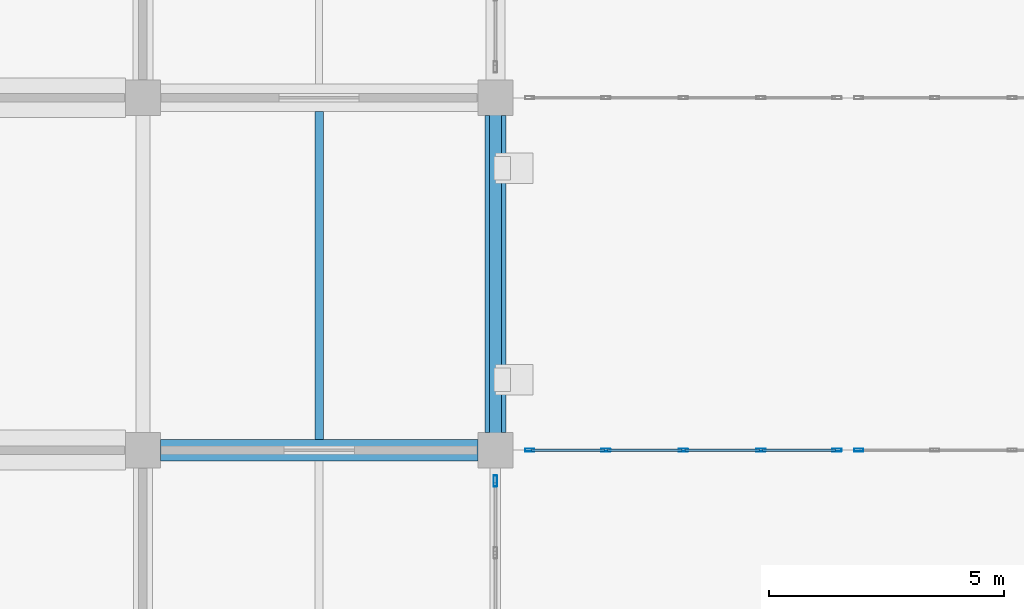
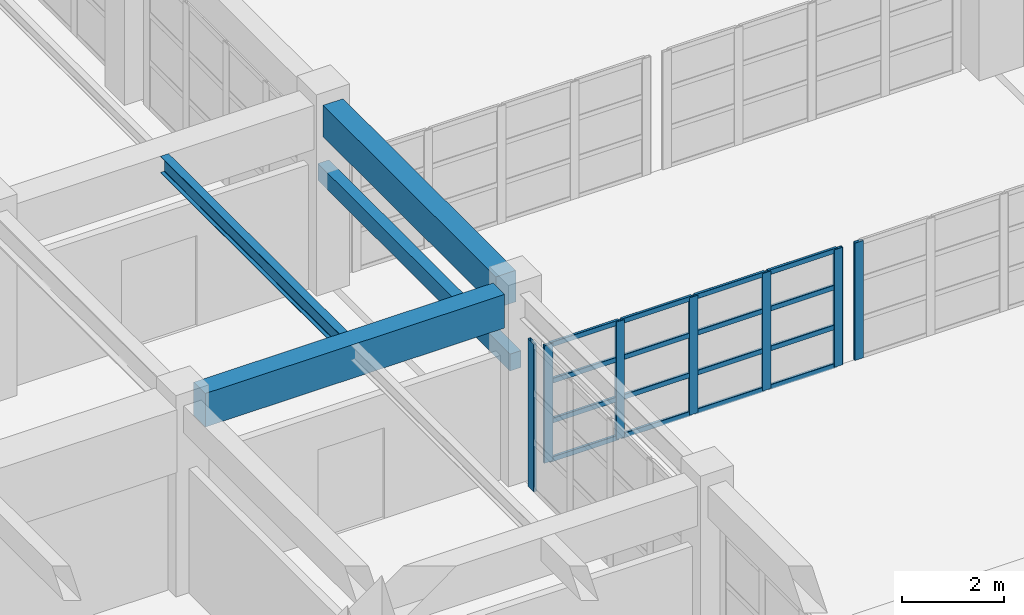
# One storey, part 15 of 122: 23 members, 4 beams, 3 elements without a shape of their own.
"""IFC4 building model written with IfcOpenShell, lengths in metres."""

import ifcopenshell
import ifcopenshell.guid

model = None  # the IFC model being written
_history = None  # IfcOwnerHistory: only IFC2X3 demands one
_inside = {}  # id of a spatial element -> (the spatial element, [elements in it])
_under = {}  # id of a project, library or spatial element -> (it, [spatial elements below it])
_declared = {}  # id of a project -> (the project, [libraries it declares])
_typed = {}  # id of a type object -> (the type object, [elements of that type])
_made_of = {}  # id of a material, layer set ... -> (it, [elements and type objects made of it])


def new_model(schema):
    """Start an empty IFC model of exactly this schema.

    Asked for "IFC4X3", IfcOpenShell would pick the latest addendum, in which some entities
    have other attributes; the version numbers below select the first issue.
    IFC2X3 requires an IfcOwnerHistory on every rooted entity: one is made here for all.
    """
    global model, _history
    if schema == "IFC4X3":
        model = ifcopenshell.file(schema_version=(4, 3, 0, 0))
    else:
        model = ifcopenshell.file(schema=schema)
    _inside.clear()
    _under.clear()
    _declared.clear()
    _typed.clear()
    _made_of.clear()
    _history = None
    if model.schema == "IFC2X3":
        org = make("IfcOrganization", Name="unknown")
        user = make(
            "IfcPersonAndOrganization",
            ThePerson=make("IfcPerson", FamilyName="unknown"),
            TheOrganization=org,
        )
        app = make(
            "IfcApplication",
            ApplicationDeveloper=org,
            Version="unknown",
            ApplicationFullName="unknown",
            ApplicationIdentifier="unknown",
        )
        _history = make(
            "IfcOwnerHistory",
            OwningUser=user,
            OwningApplication=app,
            ChangeAction="ADDED",
            CreationDate=0,
        )
    return model


def make(cls, **values):
    """One entity of the class cls with the attributes given. An attribute that is None is left unset."""
    return model.create_entity(
        cls, **{name: value for name, value in values.items() if value is not None}
    )


def rooted(cls, **values):
    """An entity with a GlobalId (a new one), such as an element, a storey or a relation."""
    return make(cls, GlobalId=ifcopenshell.guid.new(), OwnerHistory=_history, **values)


def si_unit(unit_type, name, prefix=None):
    """IfcSIUnit, for example si_unit("LENGTHUNIT", "METRE", prefix="MILLI")."""
    return make("IfcSIUnit", UnitType=unit_type, Prefix=prefix, Name=name)


def assignment(units):
    """IfcUnitAssignment: the units of a project."""
    return None if units is None else make("IfcUnitAssignment", Units=units)


def point(xyz):
    """IfcCartesianPoint."""
    return None if xyz is None else make("IfcCartesianPoint", Coordinates=xyz)


def direction(xyz):
    """IfcDirection."""
    return None if xyz is None else make("IfcDirection", DirectionRatios=xyz)


def frame(location, z_axis=None, x_axis=None):
    """IfcAxis2Placement3D, a coordinate frame: its origin and axes. An axis left out is left unset."""
    return make(
        "IfcAxis2Placement3D",
        Location=point(location),
        Axis=direction(z_axis),
        RefDirection=direction(x_axis),
    )


def frame_2d(location, x_axis=None):
    """IfcAxis2Placement2D, a coordinate frame in the plane: its origin and x axis."""
    return make(
        "IfcAxis2Placement2D", Location=point(location), RefDirection=direction(x_axis)
    )


def origin():
    """The frame at (0, 0, 0) with its axes left unset."""
    return frame((0.0, 0.0, 0.0))


def origin_2d():
    """The frame at (0, 0) in the plane with its x axis left unset."""
    return frame_2d((0.0, 0.0))


def place(relative_to, where):
    """IfcLocalPlacement: puts the frame where relative to a parent placement (None: the world)."""
    return make(
        "IfcLocalPlacement", PlacementRelTo=relative_to, RelativePlacement=where
    )


def context(
    kind, dimensions, precision=None, world=None, true_north=None, identifier=None
):
    """IfcGeometricRepresentationContext, for example the 3D "Model" context."""
    return make(
        "IfcGeometricRepresentationContext",
        ContextIdentifier=identifier,
        ContextType=kind,
        CoordinateSpaceDimension=dimensions,
        Precision=precision,
        WorldCoordinateSystem=world,
        TrueNorth=true_north,
    )


def subcontext(parent, identifier, kind, view, scale=None):
    """IfcGeometricRepresentationSubContext, for example "Body" below "Model"."""
    return make(
        "IfcGeometricRepresentationSubContext",
        ContextIdentifier=identifier,
        ContextType=kind,
        ParentContext=parent,
        TargetScale=scale,
        TargetView=view,
    )


def project(units=None, contexts=None):
    """IfcProject with its units and contexts."""
    return rooted(
        "IfcProject",
        Name="project",
        RepresentationContexts=contexts,
        UnitsInContext=assignment(units),
    )


def spatial(cls, under=None, at=None, **own):
    """A site, building, storey or space (cls), placed at a placement, below another one or the project."""
    s = rooted(cls, ObjectPlacement=at, **own)
    if under is not None:
        _under.setdefault(under.id(), (under, []))[1].append(s)
    return s


def profile(cls, at=None, kind="AREA", **sizes):
    """A parametric profile (cls). Its sizes go by their IFC names, for example OverallWidth=200.0."""
    return make(cls, ProfileType=kind, Position=at, **sizes)


def rectangle(**sizes):
    """IfcRectangleProfileDef."""
    return profile("IfcRectangleProfileDef", **sizes)


def hollow_rectangle(**sizes):
    """IfcRectangleHollowProfileDef."""
    return profile("IfcRectangleHollowProfileDef", **sizes)


def i_section(**sizes):
    """IfcIShapeProfileDef."""
    return profile("IfcIShapeProfileDef", **sizes)


def extrude(swept, where, along, depth):
    """IfcExtrudedAreaSolid: the profile swept, set in the frame where, extruded along a direction by depth."""
    return make(
        "IfcExtrudedAreaSolid",
        SweptArea=swept,
        Position=where,
        ExtrudedDirection=direction(along),
        Depth=depth,
    )


def shape(context_of_items, identifier, shape_type, items):
    """IfcShapeRepresentation: the items that make up one representation, for example the "Body"."""
    return make(
        "IfcShapeRepresentation",
        ContextOfItems=context_of_items,
        RepresentationIdentifier=identifier,
        RepresentationType=shape_type,
        Items=items,
    )


def material(Name=None, Category=None):
    """IfcMaterial."""
    return make("IfcMaterial", Name=Name, Category=Category)


def material_profile(
    of_material, cross_section, Name=None, Category=None, Priority=None
):
    """IfcMaterialProfile: a cross section and its material."""
    return make(
        "IfcMaterialProfile",
        Name=Name,
        Material=of_material,
        Profile=cross_section,
        Priority=Priority,
        Category=Category,
    )


def profile_set(profiles, Name=None, composite=None):
    """IfcMaterialProfileSet."""
    return make(
        "IfcMaterialProfileSet",
        Name=Name,
        MaterialProfiles=profiles,
        CompositeProfile=composite,
    )


def made_of(thing, what):
    """Note that an element or type object is made of a material, layer set ...; save() writes the relation."""
    if what is not None:
        _made_of.setdefault(what.id(), (what, []))[1].append(thing)
    return thing


def type_object(cls, material=None, **own):
    """A type object (cls), such as IfcWallType, which elements share."""
    return made_of(rooted(cls, **own), material)


def element(
    cls,
    number,
    at=None,
    inside=None,
    cuts=None,
    type_object=None,
    material=None,
    context=None,
    identifier="Body",
    shape_type=None,
    held_by="IfcProductDefinitionShape",
    body=None,
    shapes=None,
    **own,
):
    """One element of the class cls, such as IfcWall. Its Tag is "e" and its number.

    at: its placement. inside: the storey or other place that contains it. cuts: it is an
    opening in that element (IfcRelVoidsElement). A single representation is given by context,
    identifier, shape_type and body (its items); several are given by shapes. held_by: the class
    of the entity that holds the representations. save() writes the other relations.
    """
    e = rooted(cls, Tag="e%d" % number, ObjectPlacement=at, **own)
    if body is not None:
        shapes = [shape(context, identifier, shape_type, body)]
    if shapes is not None:
        e.Representation = make(held_by, Representations=shapes)
    if inside is not None:
        _inside.setdefault(inside.id(), (inside, []))[1].append(e)
    if cuts is not None:
        rooted(
            "IfcRelVoidsElement", RelatingBuildingElement=cuts, RelatedOpeningElement=e
        )
    if type_object is not None:
        _typed.setdefault(type_object.id(), (type_object, []))[1].append(e)
    return made_of(e, material)


def aggregate(whole, parts):
    """IfcRelAggregates: a whole, such as a stair, and the parts it consists of."""
    return rooted("IfcRelAggregates", RelatingObject=whole, RelatedObjects=parts)


def save(model, path):
    """Write the relations noted so far, then the file.

    IfcRelAggregates (storeys below a building ...), IfcRelContainedInSpatialStructure (elements
    in a storey), IfcRelDefinesByType, IfcRelAssociatesMaterial and IfcRelDeclares: one each for
    every whole, place, type object, material and project.
    """
    for whole, parts in _under.values():
        aggregate(whole, parts)
    for where, things in _inside.values():
        rooted(
            "IfcRelContainedInSpatialStructure",
            RelatedElements=things,
            RelatingStructure=where,
        )
    for kind, things in _typed.values():
        rooted("IfcRelDefinesByType", RelatedObjects=things, RelatingType=kind)
    for what, things in _made_of.values():
        rooted("IfcRelAssociatesMaterial", RelatedObjects=things, RelatingMaterial=what)
    for by, libraries in _declared.values():
        rooted("IfcRelDeclares", RelatingContext=by, RelatedDefinitions=libraries)
    model.write(path)


model = new_model("IFC4")

# Units and contexts
model_context = context("Model", 3, precision=1e-05, world=origin(), true_north=direction((0.0, 1.0)))
body_context = subcontext(model_context, "Body", "Model", "MODEL_VIEW")
ifc_project = project(units=[si_unit("LENGTHUNIT", "METRE"), si_unit("AREAUNIT", "SQUARE_METRE"), si_unit("VOLUMEUNIT", "CUBIC_METRE"), si_unit("PLANEANGLEUNIT", "RADIAN"), si_unit("MASSUNIT", "GRAM", prefix="KILO")], contexts=[model_context])

# Site, building, storey
site_placement = place(None, origin())
site = spatial("IfcSite", under=ifc_project, at=site_placement, CompositionType="ELEMENT")
building_placement = place(site_placement, origin())
building = spatial("IfcBuilding", under=site, at=building_placement, Name="Qasida Concert Hall", CompositionType="ELEMENT")
storey_placement = place(building_placement, origin())
storey = spatial("IfcBuildingStorey", under=building, at=storey_placement, Name="L00", CompositionType="ELEMENT", Elevation=0.0)

# Beams
ifc_material_1 = material(Name="Concrete C40/50", Category="concrete")
ifc_material_profile_1 = material_profile(ifc_material_1, rectangle(XDim=0.449951171875, YDim=0.800048828125, at=origin_2d()), Name="RC 450x800")
ifc_profile_set_1 = profile_set([ifc_material_profile_1], Name="Concrete C40/50")
beam_type_1 = type_object("IfcBeamType", Name="BM-G2", PredefinedType="USERDEFINED", material=ifc_profile_set_1)
beam_1_placement = place(storey_placement, frame((30.375, 30.0, 4.10009765625), z_axis=(1.0, 0.0, 0.0), x_axis=(0.0, 1.0, 0.0)))
element("IfcBeam", 1, at=beam_1_placement, inside=storey, type_object=beam_type_1, Name="Primary girder 0522", ObjectType="GIRDER", PredefinedType="USERDEFINED", context=body_context, shape_type="SweptSolid", body=[
    extrude(rectangle(XDim=0.449951171875, YDim=0.800048828125, at=origin_2d()), origin(), (0.0, 0.0, 1.0), 6.75),
])
ifc_material_2 = material(Name="Steel S355J2", Category="steel")
ifc_material_profile_2 = material_profile(ifc_material_2, i_section(OverallWidth=0.179931640625, OverallDepth=0.39990234375, WebThickness=0.008544921875, FlangeThickness=0.013427734375, FilletRadius=0.02099609375, at=origin_2d()), Name="IPE 400")
ifc_profile_set_2 = profile_set([ifc_material_profile_2], Name="Steel S355J2")
beam_type_2 = type_object("IfcBeamType", Name="BM-J3", PredefinedType="JOIST", material=ifc_profile_set_2)
beam_2_placement = place(storey_placement, frame((33.75, 30.22509765625, 4.300048828125), z_axis=(0.0, 1.0, 0.0), x_axis=(-1.0, 0.0, 0.0)))
element("IfcBeam", 2, at=beam_2_placement, inside=storey, type_object=beam_type_2, Name="L00 secondary joist 0586", PredefinedType="JOIST", context=body_context, shape_type="SweptSolid", body=[
    extrude(i_section(OverallWidth=0.179931640625, OverallDepth=0.39990234375, WebThickness=0.008544921875, FlangeThickness=0.013427734375, FilletRadius=0.02099609375, at=origin_2d()), origin(), (0.0, 0.0, 1.0), 6.98486328125),
])
ifc_material_profile_3 = material_profile(ifc_material_1, rectangle(XDim=0.25, YDim=0.39990234375, at=origin_2d()), Name="RC 250x400")
ifc_profile_set_3 = profile_set([ifc_material_profile_3], Name="Concrete C40/50")
beam_type_3 = type_object("IfcBeamType", Name="BM-LN1", PredefinedType="LINTEL", material=ifc_profile_set_3)
beam_3_placement = place(storey_placement, frame((37.5, 30.0, 2.64990234375), z_axis=(0.0, 1.0, 0.0), x_axis=(-1.0, 0.0, 0.0)))
element("IfcBeam", 3, at=beam_3_placement, inside=storey, type_object=beam_type_3, Name="L00 portal lintel beam 004", PredefinedType="LINTEL", context=body_context, shape_type="SweptSolid", body=[
    extrude(rectangle(XDim=0.25, YDim=0.39990234375, at=origin_2d()), origin(), (0.0, 0.0, 1.0), 7.5),
])
ifc_material_profile_4 = material_profile(ifc_material_1, rectangle(XDim=0.449951171875, YDim=0.75, at=origin_2d()), Name="RC 450x750")
ifc_profile_set_4 = profile_set([ifc_material_profile_4], Name="Concrete C40/50")
beam_type_4 = type_object("IfcBeamType", Name="BM-SP4", PredefinedType="SPANDREL", material=ifc_profile_set_4)
beam_4_placement = place(storey_placement, frame((37.5, 30.375, 4.125), z_axis=(0.0, 1.0, 0.0), x_axis=(-1.0, 0.0, 0.0)))
element("IfcBeam", 4, at=beam_4_placement, inside=storey, type_object=beam_type_4, Name="L00 girder 0557", PredefinedType="SPANDREL", context=body_context, shape_type="SweptSolid", body=[
    extrude(rectangle(XDim=0.449951171875, YDim=0.75, at=origin_2d()), origin(), (0.0, 0.0, 1.0), 6.75),
])

# Curtain wall, member
ifc_material_3 = material(Name="Architectural bronze-anodized aluminium and low-E glass", Category="aluminium")
curtain_wall_type_1 = type_object("IfcCurtainWallType", Name="CW-06", PredefinedType="NOTDEFINED", material=ifc_material_3)
curtain_wall_1_placement = place(storey_placement, origin())
curtain_wall_1 = element("IfcCurtainWall", 5, at=curtain_wall_1_placement, inside=storey, type_object=curtain_wall_type_1, Name="L00 curtain wall CW-06 0077", PredefinedType="NOTDEFINED")
ifc_material_4 = material(Name="Architectural bronze-anodized aluminium EN AW-6063", Category="aluminium")
ifc_material_profile_5 = material_profile(ifc_material_4, hollow_rectangle(XDim=0.070068359375, YDim=0.239990234375, WallThickness=0.0048828125, InnerFilletRadius=0.0048828125, OuterFilletRadius=0.010009765625, at=origin_2d()), Name="CWM 240x70x5")
ifc_profile_set_5 = profile_set([ifc_material_profile_5], Name="Architectural bronze-anodized aluminium EN AW-6063")
member_type_1 = type_object("IfcMemberType", Name="MB-CWM-1", PredefinedType="MULLION", material=ifc_profile_set_5)
member_1_placement = place(storey_placement, frame((37.5, 29.344970703125, 0.0), z_axis=(0.0, 0.0, 1.0), x_axis=(-1.0, 0.0, 0.0)))
member_1 = element("IfcMember", 6, at=member_1_placement, type_object=member_type_1, Name="CW-06 mullion 5", PredefinedType="MULLION", context=body_context, shape_type="SweptSolid", body=[
    extrude(hollow_rectangle(XDim=0.070068359375, YDim=0.239990234375, WallThickness=0.0048828125, InnerFilletRadius=0.0048828125, OuterFilletRadius=0.010009765625, at=origin_2d()), origin(), (0.0, 0.0, 1.0), 3.52001953125),
])
aggregate(curtain_wall_1, [member_1])

# Curtain wall, members
curtain_wall_type_2 = type_object("IfcCurtainWallType", Name="CW-08", PredefinedType="NOTDEFINED", material=ifc_material_3)
curtain_wall_2_placement = place(storey_placement, origin())
curtain_wall_2 = element("IfcCurtainWall", 7, at=curtain_wall_2_placement, inside=storey, type_object=curtain_wall_type_2, Name="L00 link bridge glazing 0194", PredefinedType="NOTDEFINED")
ifc_material_profile_6 = material_profile(ifc_material_4, hollow_rectangle(XDim=0.06494140625, YDim=0.199951171875, WallThickness=0.0048828125, InnerFilletRadius=0.0048828125, OuterFilletRadius=0.010009765625, at=origin_2d()), Name="CWM 200x65x5")
ifc_profile_set_6 = profile_set([ifc_material_profile_6], Name="Architectural bronze-anodized aluminium EN AW-6063")
member_type_2 = type_object("IfcMemberType", Name="MB-CWM-2", PredefinedType="MULLION", material=ifc_profile_set_6)
member_2_placement = place(storey_placement, frame((38.232421875, 30.0, 0.0), z_axis=(0.0, 0.0, 1.0), x_axis=(0.0, 1.0, 0.0)))
member_2 = element("IfcMember", 8, at=member_2_placement, type_object=member_type_2, Name="CW-08 mullion 1", PredefinedType="MULLION", context=body_context, shape_type="SweptSolid", body=[
    extrude(hollow_rectangle(XDim=0.06494140625, YDim=0.199951171875, WallThickness=0.0048828125, InnerFilletRadius=0.0048828125, OuterFilletRadius=0.010009765625, at=origin_2d()), origin(), (0.0, 0.0, 1.0), 2.800048828125),
])
member_3_placement = place(storey_placement, frame((39.85009765625, 30.0, 0.0), z_axis=(0.0, 0.0, 1.0), x_axis=(0.0, 1.0, 0.0)))
member_3 = element("IfcMember", 9, at=member_3_placement, type_object=member_type_2, Name="CW-08 mullion 2", PredefinedType="MULLION", context=body_context, shape_type="SweptSolid", body=[
    extrude(hollow_rectangle(XDim=0.06494140625, YDim=0.199951171875, WallThickness=0.0048828125, InnerFilletRadius=0.0048828125, OuterFilletRadius=0.010009765625, at=origin_2d()), origin(), (0.0, 0.0, 1.0), 2.800048828125),
])
member_4_placement = place(storey_placement, frame((41.5, 30.0, 0.0), z_axis=(0.0, 0.0, 1.0), x_axis=(0.0, 1.0, 0.0)))
member_4 = element("IfcMember", 10, at=member_4_placement, type_object=member_type_2, Name="CW-08 mullion 3", PredefinedType="MULLION", context=body_context, shape_type="SweptSolid", body=[
    extrude(hollow_rectangle(XDim=0.06494140625, YDim=0.199951171875, WallThickness=0.0048828125, InnerFilletRadius=0.0048828125, OuterFilletRadius=0.010009765625, at=origin_2d()), origin(), (0.0, 0.0, 1.0), 2.800048828125),
])
member_5_placement = place(storey_placement, frame((43.14990234375, 30.0, 0.0), z_axis=(0.0, 0.0, 1.0), x_axis=(0.0, 1.0, 0.0)))
member_5 = element("IfcMember", 11, at=member_5_placement, type_object=member_type_2, Name="CW-08 mullion 4", PredefinedType="MULLION", context=body_context, shape_type="SweptSolid", body=[
    extrude(hollow_rectangle(XDim=0.06494140625, YDim=0.199951171875, WallThickness=0.0048828125, InnerFilletRadius=0.0048828125, OuterFilletRadius=0.010009765625, at=origin_2d()), origin(), (0.0, 0.0, 1.0), 2.800048828125),
])
member_6_placement = place(storey_placement, frame((44.767578125, 30.0, 0.0), z_axis=(0.0, 0.0, 1.0), x_axis=(0.0, 1.0, 0.0)))
member_6 = element("IfcMember", 12, at=member_6_placement, type_object=member_type_2, Name="CW-08 mullion 5", PredefinedType="MULLION", context=body_context, shape_type="SweptSolid", body=[
    extrude(hollow_rectangle(XDim=0.06494140625, YDim=0.199951171875, WallThickness=0.0048828125, InnerFilletRadius=0.0048828125, OuterFilletRadius=0.010009765625, at=origin_2d()), origin(), (0.0, 0.0, 1.0), 2.800048828125),
])

# Curtain wall, member
curtain_wall_3_placement = place(storey_placement, origin())
curtain_wall_3 = element("IfcCurtainWall", 13, at=curtain_wall_3_placement, inside=storey, type_object=curtain_wall_type_2, Name="L00 link bridge glazing 0196", PredefinedType="NOTDEFINED")
member_7_placement = place(storey_placement, frame((45.232421875, 30.0, 0.0), z_axis=(0.0, 0.0, 1.0), x_axis=(0.0, 1.0, 0.0)))
member_7 = element("IfcMember", 14, at=member_7_placement, type_object=member_type_2, Name="CW-08 mullion 1", PredefinedType="MULLION", context=body_context, shape_type="SweptSolid", body=[
    extrude(hollow_rectangle(XDim=0.06494140625, YDim=0.199951171875, WallThickness=0.0048828125, InnerFilletRadius=0.0048828125, OuterFilletRadius=0.010009765625, at=origin_2d()), origin(), (0.0, 0.0, 1.0), 2.800048828125),
])
aggregate(curtain_wall_3, [member_7])

# Member
ifc_material_profile_7 = material_profile(ifc_material_4, hollow_rectangle(XDim=0.06005859375, YDim=0.1201171875, WallThickness=0.00390625, InnerFilletRadius=0.00390625, OuterFilletRadius=0.008056640625, at=origin_2d()), Name="CWT 120x60x4")
ifc_profile_set_7 = profile_set([ifc_material_profile_7], Name="Architectural bronze-anodized aluminium EN AW-6063")
member_type_3 = type_object("IfcMemberType", Name="MB-CWT-2", PredefinedType="USERDEFINED", material=ifc_profile_set_7)
member_8_placement = place(storey_placement, frame((38.264892578125, 30.0, 0.030029296875), z_axis=(1.0, 0.0, 0.0), x_axis=(0.0, 1.0, 0.0)))
member_8 = element("IfcMember", 15, at=member_8_placement, type_object=member_type_3, Name="CW-08 transom 1.1", ObjectType="TRANSOM", PredefinedType="USERDEFINED", context=body_context, shape_type="SweptSolid", body=[
    extrude(hollow_rectangle(XDim=0.06005859375, YDim=0.1201171875, WallThickness=0.00390625, InnerFilletRadius=0.00390625, OuterFilletRadius=0.008056640625, at=origin_2d()), origin(), (0.0, 0.0, 1.0), 1.552490234375),
])

member_9_placement = place(storey_placement, frame((38.264892578125, 30.0, 0.949951171875), z_axis=(1.0, 0.0, 0.0), x_axis=(0.0, 1.0, 0.0)))
member_9 = element("IfcMember", 16, at=member_9_placement, type_object=member_type_3, Name="CW-08 transom 1.2", ObjectType="TRANSOM", PredefinedType="USERDEFINED", context=body_context, shape_type="SweptSolid", body=[
    extrude(hollow_rectangle(XDim=0.06005859375, YDim=0.1201171875, WallThickness=0.00390625, InnerFilletRadius=0.00390625, OuterFilletRadius=0.008056640625, at=origin_2d()), origin(), (0.0, 0.0, 1.0), 1.552490234375),
])

member_10_placement = place(storey_placement, frame((38.264892578125, 30.0, 1.89990234375), z_axis=(1.0, 0.0, 0.0), x_axis=(0.0, 1.0, 0.0)))
member_10 = element("IfcMember", 17, at=member_10_placement, type_object=member_type_3, Name="CW-08 transom 1.3", ObjectType="TRANSOM", PredefinedType="USERDEFINED", context=body_context, shape_type="SweptSolid", body=[
    extrude(hollow_rectangle(XDim=0.06005859375, YDim=0.1201171875, WallThickness=0.00390625, InnerFilletRadius=0.00390625, OuterFilletRadius=0.008056640625, at=origin_2d()), origin(), (0.0, 0.0, 1.0), 1.552490234375),
])

member_11_placement = place(storey_placement, frame((38.264892578125, 30.0, 2.77001953125), z_axis=(1.0, 0.0, 0.0), x_axis=(0.0, 1.0, 0.0)))
member_11 = element("IfcMember", 18, at=member_11_placement, type_object=member_type_3, Name="CW-08 transom 1.4", ObjectType="TRANSOM", PredefinedType="USERDEFINED", context=body_context, shape_type="SweptSolid", body=[
    extrude(hollow_rectangle(XDim=0.06005859375, YDim=0.1201171875, WallThickness=0.00390625, InnerFilletRadius=0.00390625, OuterFilletRadius=0.008056640625, at=origin_2d()), origin(), (0.0, 0.0, 1.0), 1.552490234375),
])

member_12_placement = place(storey_placement, frame((39.882568359375, 30.0, 0.030029296875), z_axis=(1.0, 0.0, 0.0), x_axis=(0.0, 1.0, 0.0)))
member_12 = element("IfcMember", 19, at=member_12_placement, type_object=member_type_3, Name="CW-08 transom 2.1", ObjectType="TRANSOM", PredefinedType="USERDEFINED", context=body_context, shape_type="SweptSolid", body=[
    extrude(hollow_rectangle(XDim=0.06005859375, YDim=0.1201171875, WallThickness=0.00390625, InnerFilletRadius=0.00390625, OuterFilletRadius=0.008056640625, at=origin_2d()), origin(), (0.0, 0.0, 1.0), 1.5849609375),
])

member_13_placement = place(storey_placement, frame((39.882568359375, 30.0, 0.949951171875), z_axis=(1.0, 0.0, 0.0), x_axis=(0.0, 1.0, 0.0)))
member_13 = element("IfcMember", 20, at=member_13_placement, type_object=member_type_3, Name="CW-08 transom 2.2", ObjectType="TRANSOM", PredefinedType="USERDEFINED", context=body_context, shape_type="SweptSolid", body=[
    extrude(hollow_rectangle(XDim=0.06005859375, YDim=0.1201171875, WallThickness=0.00390625, InnerFilletRadius=0.00390625, OuterFilletRadius=0.008056640625, at=origin_2d()), origin(), (0.0, 0.0, 1.0), 1.5849609375),
])

member_14_placement = place(storey_placement, frame((39.882568359375, 30.0, 1.89990234375), z_axis=(1.0, 0.0, 0.0), x_axis=(0.0, 1.0, 0.0)))
member_14 = element("IfcMember", 21, at=member_14_placement, type_object=member_type_3, Name="CW-08 transom 2.3", ObjectType="TRANSOM", PredefinedType="USERDEFINED", context=body_context, shape_type="SweptSolid", body=[
    extrude(hollow_rectangle(XDim=0.06005859375, YDim=0.1201171875, WallThickness=0.00390625, InnerFilletRadius=0.00390625, OuterFilletRadius=0.008056640625, at=origin_2d()), origin(), (0.0, 0.0, 1.0), 1.5849609375),
])

member_15_placement = place(storey_placement, frame((39.882568359375, 30.0, 2.77001953125), z_axis=(1.0, 0.0, 0.0), x_axis=(0.0, 1.0, 0.0)))
member_15 = element("IfcMember", 22, at=member_15_placement, type_object=member_type_3, Name="CW-08 transom 2.4", ObjectType="TRANSOM", PredefinedType="USERDEFINED", context=body_context, shape_type="SweptSolid", body=[
    extrude(hollow_rectangle(XDim=0.06005859375, YDim=0.1201171875, WallThickness=0.00390625, InnerFilletRadius=0.00390625, OuterFilletRadius=0.008056640625, at=origin_2d()), origin(), (0.0, 0.0, 1.0), 1.5849609375),
])

member_16_placement = place(storey_placement, frame((41.532470703125, 30.0, 0.030029296875), z_axis=(1.0, 0.0, 0.0), x_axis=(0.0, 1.0, 0.0)))
member_16 = element("IfcMember", 23, at=member_16_placement, type_object=member_type_3, Name="CW-08 transom 3.1", ObjectType="TRANSOM", PredefinedType="USERDEFINED", context=body_context, shape_type="SweptSolid", body=[
    extrude(hollow_rectangle(XDim=0.06005859375, YDim=0.1201171875, WallThickness=0.00390625, InnerFilletRadius=0.00390625, OuterFilletRadius=0.008056640625, at=origin_2d()), origin(), (0.0, 0.0, 1.0), 1.5849609375),
])

member_17_placement = place(storey_placement, frame((41.532470703125, 30.0, 0.949951171875), z_axis=(1.0, 0.0, 0.0), x_axis=(0.0, 1.0, 0.0)))
member_17 = element("IfcMember", 24, at=member_17_placement, type_object=member_type_3, Name="CW-08 transom 3.2", ObjectType="TRANSOM", PredefinedType="USERDEFINED", context=body_context, shape_type="SweptSolid", body=[
    extrude(hollow_rectangle(XDim=0.06005859375, YDim=0.1201171875, WallThickness=0.00390625, InnerFilletRadius=0.00390625, OuterFilletRadius=0.008056640625, at=origin_2d()), origin(), (0.0, 0.0, 1.0), 1.5849609375),
])

member_18_placement = place(storey_placement, frame((41.532470703125, 30.0, 1.89990234375), z_axis=(1.0, 0.0, 0.0), x_axis=(0.0, 1.0, 0.0)))
member_18 = element("IfcMember", 25, at=member_18_placement, type_object=member_type_3, Name="CW-08 transom 3.3", ObjectType="TRANSOM", PredefinedType="USERDEFINED", context=body_context, shape_type="SweptSolid", body=[
    extrude(hollow_rectangle(XDim=0.06005859375, YDim=0.1201171875, WallThickness=0.00390625, InnerFilletRadius=0.00390625, OuterFilletRadius=0.008056640625, at=origin_2d()), origin(), (0.0, 0.0, 1.0), 1.5849609375),
])

member_19_placement = place(storey_placement, frame((41.532470703125, 30.0, 2.77001953125), z_axis=(1.0, 0.0, 0.0), x_axis=(0.0, 1.0, 0.0)))
member_19 = element("IfcMember", 26, at=member_19_placement, type_object=member_type_3, Name="CW-08 transom 3.4", ObjectType="TRANSOM", PredefinedType="USERDEFINED", context=body_context, shape_type="SweptSolid", body=[
    extrude(hollow_rectangle(XDim=0.06005859375, YDim=0.1201171875, WallThickness=0.00390625, InnerFilletRadius=0.00390625, OuterFilletRadius=0.008056640625, at=origin_2d()), origin(), (0.0, 0.0, 1.0), 1.5849609375),
])

member_20_placement = place(storey_placement, frame((43.1826171875, 30.0, 0.030029296875), z_axis=(1.0, 0.0, 0.0), x_axis=(0.0, 1.0, 0.0)))
member_20 = element("IfcMember", 27, at=member_20_placement, type_object=member_type_3, Name="CW-08 transom 4.1", ObjectType="TRANSOM", PredefinedType="USERDEFINED", context=body_context, shape_type="SweptSolid", body=[
    extrude(hollow_rectangle(XDim=0.06005859375, YDim=0.1201171875, WallThickness=0.00390625, InnerFilletRadius=0.00390625, OuterFilletRadius=0.008056640625, at=origin_2d()), origin(), (0.0, 0.0, 1.0), 1.552490234375),
])

member_21_placement = place(storey_placement, frame((43.1826171875, 30.0, 0.949951171875), z_axis=(1.0, 0.0, 0.0), x_axis=(0.0, 1.0, 0.0)))
member_21 = element("IfcMember", 28, at=member_21_placement, type_object=member_type_3, Name="CW-08 transom 4.2", ObjectType="TRANSOM", PredefinedType="USERDEFINED", context=body_context, shape_type="SweptSolid", body=[
    extrude(hollow_rectangle(XDim=0.06005859375, YDim=0.1201171875, WallThickness=0.00390625, InnerFilletRadius=0.00390625, OuterFilletRadius=0.008056640625, at=origin_2d()), origin(), (0.0, 0.0, 1.0), 1.552490234375),
])

member_22_placement = place(storey_placement, frame((43.1826171875, 30.0, 1.89990234375), z_axis=(1.0, 0.0, 0.0), x_axis=(0.0, 1.0, 0.0)))
member_22 = element("IfcMember", 29, at=member_22_placement, type_object=member_type_3, Name="CW-08 transom 4.3", ObjectType="TRANSOM", PredefinedType="USERDEFINED", context=body_context, shape_type="SweptSolid", body=[
    extrude(hollow_rectangle(XDim=0.06005859375, YDim=0.1201171875, WallThickness=0.00390625, InnerFilletRadius=0.00390625, OuterFilletRadius=0.008056640625, at=origin_2d()), origin(), (0.0, 0.0, 1.0), 1.552490234375),
])

member_23_placement = place(storey_placement, frame((43.1826171875, 30.0, 2.77001953125), z_axis=(1.0, 0.0, 0.0), x_axis=(0.0, 1.0, 0.0)))
member_23 = element("IfcMember", 30, at=member_23_placement, type_object=member_type_3, Name="CW-08 transom 4.4", ObjectType="TRANSOM", PredefinedType="USERDEFINED", context=body_context, shape_type="SweptSolid", body=[
    extrude(hollow_rectangle(XDim=0.06005859375, YDim=0.1201171875, WallThickness=0.00390625, InnerFilletRadius=0.00390625, OuterFilletRadius=0.008056640625, at=origin_2d()), origin(), (0.0, 0.0, 1.0), 1.552490234375),
])

aggregate(curtain_wall_2, [member_2, member_3, member_4, member_5, member_6, member_8, member_9, member_10, member_11, member_12, member_13, member_14, member_15, member_16, member_17, member_18, member_19, member_20, member_21, member_22, member_23])

save(model, "model.ifc")
